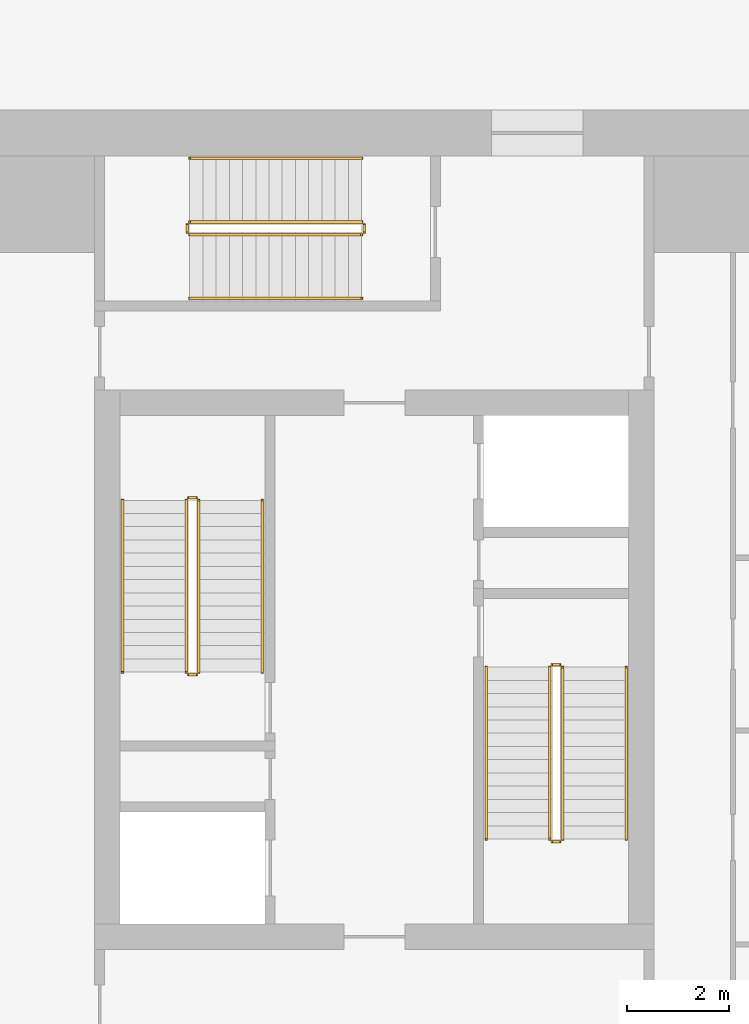
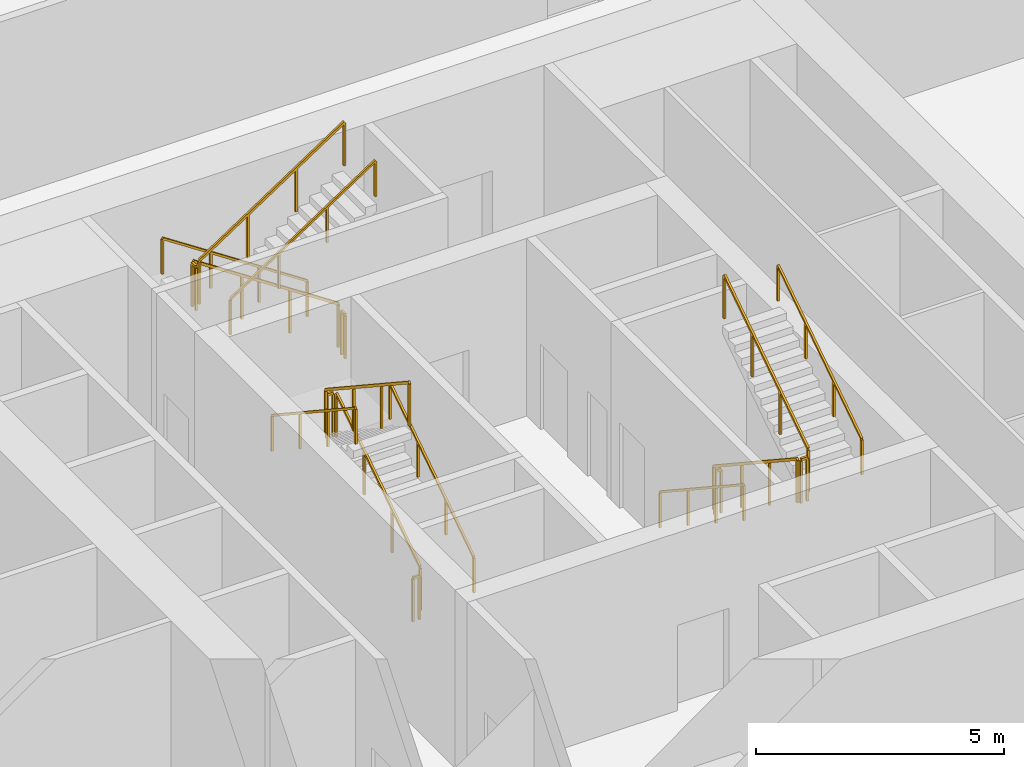
# One storey, part 48 of 53: 18 railings.
"""IFC4 building model written with IfcOpenShell, lengths in metres."""

from ifc_helpers import new_model, si_unit, direction, frame, origin, origin_2d, place, context, subcontext, project, spatial, rectangle, extrude, material, type_object, element, save


model = new_model("IFC4")

# Units and contexts
model_context = context("Model", 3, precision=1e-05, world=origin(), true_north=direction((0.0, 1.0)))
body_context = subcontext(model_context, "Body", "Model", "MODEL_VIEW")
ifc_project = project(units=[si_unit("LENGTHUNIT", "METRE"), si_unit("AREAUNIT", "SQUARE_METRE"), si_unit("VOLUMEUNIT", "CUBIC_METRE"), si_unit("PLANEANGLEUNIT", "RADIAN"), si_unit("MASSUNIT", "GRAM", prefix="KILO")], contexts=[model_context])

# Site, building, storey
site_placement = place(None, origin())
site = spatial("IfcSite", under=ifc_project, at=site_placement, CompositionType="ELEMENT")
building_placement = place(site_placement, origin())
building = spatial("IfcBuilding", under=site, at=building_placement, Name="Khepri Terraces", CompositionType="ELEMENT")
storey_placement = place(building_placement, frame((0.0, 0.0, 7.199951171875)))
storey = spatial("IfcBuildingStorey", under=building, at=storey_placement, Name="L01", CompositionType="ELEMENT", Elevation=7.199951171875)

# Railings
ifc_material = material(Name="Stainless steel 316", Category="steel")
railing_type_1 = type_object("IfcRailingType", Name="RL-CORE-GUARD", PredefinedType="GUARDRAIL", material=ifc_material)
railing_1_placement = place(storey_placement, frame((-3.449951171875, -0.050048828125, 0.17138671875)))
element("IfcRailing", 1, at=railing_1_placement, inside=storey, type_object=railing_type_1, Name="L01 ST-1 stair guard 1", PredefinedType="GUARDRAIL", context=body_context, shape_type="SweptSolid", body=[
    extrude(rectangle(XDim=0.050048828125, YDim=0.06005859375, at=origin_2d()), frame((0.0, 0.0, 1.070068359375), z_axis=(0.0, 0.834850508896, 0.550476727751), x_axis=(-1.0, 0.0, 0.0)), (0.0, 0.0, 1.0), 4.048828125),
    extrude(rectangle(XDim=0.050048828125, YDim=0.050048828125, at=origin_2d()), origin(), (0.0, 0.0, 1.0), 1.0400390625),
    extrude(rectangle(XDim=0.050048828125, YDim=0.050048828125, at=origin_2d()), frame((0.0, 1.126708984375, 0.742919921875)), (0.0, 0.0, 1.0), 1.0400390625),
    extrude(rectangle(XDim=0.050048828125, YDim=0.050048828125, at=origin_2d()), frame((0.0, 2.25341796875, 1.48583984375)), (0.0, 0.0, 1.0), 1.0400390625),
    extrude(rectangle(XDim=0.050048828125, YDim=0.050048828125, at=origin_2d()), frame((0.0, 3.380126953125, 2.228759765625)), (0.0, 0.0, 1.0), 1.0400390625),
])
railing_2_placement = place(storey_placement, frame((-3.5, 3.3798828125, 2.400146484375)))
element("IfcRailing", 2, at=railing_2_placement, inside=storey, type_object=railing_type_1, Name="L01 ST-1 stair guard 2", PredefinedType="GUARDRAIL", context=body_context, shape_type="SweptSolid", body=[
    extrude(rectangle(XDim=0.050048828125, YDim=0.06005859375, at=origin_2d()), frame((0.0, 0.0, 1.070068359375), z_axis=(-1.0, 0.0, 0.0), x_axis=(0.0, -1.0, 0.0)), (0.0, 0.0, 1.0), 0.14990234375),
    extrude(rectangle(XDim=0.050048828125, YDim=0.050048828125, at=origin_2d()), origin(), (0.0, 0.0, 1.0), 1.0400390625),
    extrude(rectangle(XDim=0.050048828125, YDim=0.050048828125, at=origin_2d()), frame((-0.14990234375, 0.0, 0.0)), (0.0, 0.0, 1.0), 1.0400390625),
])
railing_3_placement = place(storey_placement, frame((-3.699951171875, 3.330078125, 2.571533203125)))
element("IfcRailing", 3, at=railing_3_placement, inside=storey, type_object=railing_type_1, Name="L01 ST-1 stair guard 3", PredefinedType="GUARDRAIL", context=body_context, shape_type="SweptSolid", body=[
    extrude(rectangle(XDim=0.050048828125, YDim=0.06005859375, at=origin_2d()), frame((0.0, 0.0, 1.070068359375), z_axis=(0.0, -0.834878220475, 0.550434698194), x_axis=(1.0, 0.0, 0.0)), (0.0, 0.0, 1.0), 4.048583984375),
    extrude(rectangle(XDim=0.050048828125, YDim=0.050048828125, at=origin_2d()), origin(), (0.0, 0.0, 1.0), 1.0400390625),
    extrude(rectangle(XDim=0.050048828125, YDim=0.050048828125, at=origin_2d()), frame((0.0, -1.126708984375, 0.742919921875)), (0.0, 0.0, 1.0), 1.0400390625),
    extrude(rectangle(XDim=0.050048828125, YDim=0.050048828125, at=origin_2d()), frame((0.0, -2.25341796875, 1.485595703125)), (0.0, 0.0, 1.0), 1.0400390625),
    extrude(rectangle(XDim=0.050048828125, YDim=0.050048828125, at=origin_2d()), frame((0.0, -3.380126953125, 2.228515625)), (0.0, 0.0, 1.0), 1.0400390625),
])
railing_4_placement = place(storey_placement, frame((-3.5, -0.10009765625, 0.0)))
element("IfcRailing", 4, at=railing_4_placement, inside=storey, type_object=railing_type_1, Name="L01 ST-1 stair guard 4", PredefinedType="GUARDRAIL", context=body_context, shape_type="SweptSolid", body=[
    extrude(rectangle(XDim=0.050048828125, YDim=0.06005859375, at=origin_2d()), frame((0.0, 0.0, 1.070068359375), z_axis=(-1.0, 0.0, 0.0), x_axis=(0.0, -1.0, 0.0)), (0.0, 0.0, 1.0), 0.14990234375),
    extrude(rectangle(XDim=0.050048828125, YDim=0.050048828125, at=origin_2d()), origin(), (0.0, 0.0, 1.0), 1.0400390625),
    extrude(rectangle(XDim=0.050048828125, YDim=0.050048828125, at=origin_2d()), frame((-0.14990234375, 0.0, 0.0)), (0.0, 0.0, 1.0), 1.0400390625),
])
railing_5_placement = place(storey_placement, frame((3.449951171875, 0.050048828125, 0.17138671875)))
element("IfcRailing", 5, at=railing_5_placement, inside=storey, type_object=railing_type_1, Name="L01 ST-2 stair guard 1", PredefinedType="GUARDRAIL", context=body_context, shape_type="SweptSolid", body=[
    extrude(rectangle(XDim=0.050048828125, YDim=0.06005859375, at=origin_2d()), frame((0.0, 0.0, 1.070068359375), z_axis=(0.0, -0.834850508896, 0.550476727751), x_axis=(1.0, 0.0, 0.0)), (0.0, 0.0, 1.0), 4.048828125),
    extrude(rectangle(XDim=0.050048828125, YDim=0.050048828125, at=origin_2d()), origin(), (0.0, 0.0, 1.0), 1.0400390625),
    extrude(rectangle(XDim=0.050048828125, YDim=0.050048828125, at=origin_2d()), frame((0.0, -1.126708984375, 0.742919921875)), (0.0, 0.0, 1.0), 1.0400390625),
    extrude(rectangle(XDim=0.050048828125, YDim=0.050048828125, at=origin_2d()), frame((0.0, -2.25341796875, 1.48583984375)), (0.0, 0.0, 1.0), 1.0400390625),
    extrude(rectangle(XDim=0.050048828125, YDim=0.050048828125, at=origin_2d()), frame((0.0, -3.380126953125, 2.228759765625)), (0.0, 0.0, 1.0), 1.0400390625),
])
railing_6_placement = place(storey_placement, frame((3.5, -3.3798828125, 2.400146484375)))
element("IfcRailing", 6, at=railing_6_placement, inside=storey, type_object=railing_type_1, Name="L01 ST-2 stair guard 2", PredefinedType="GUARDRAIL", context=body_context, shape_type="SweptSolid", body=[
    extrude(rectangle(XDim=0.050048828125, YDim=0.06005859375, at=origin_2d()), frame((0.0, 0.0, 1.070068359375), z_axis=(1.0, 0.0, 0.0), x_axis=(0.0, 1.0, 0.0)), (0.0, 0.0, 1.0), 0.14990234375),
    extrude(rectangle(XDim=0.050048828125, YDim=0.050048828125, at=origin_2d()), origin(), (0.0, 0.0, 1.0), 1.0400390625),
    extrude(rectangle(XDim=0.050048828125, YDim=0.050048828125, at=origin_2d()), frame((0.14990234375, 0.0, 0.0)), (0.0, 0.0, 1.0), 1.0400390625),
])
railing_7_placement = place(storey_placement, frame((3.699951171875, -3.330078125, 2.571533203125)))
element("IfcRailing", 7, at=railing_7_placement, inside=storey, type_object=railing_type_1, Name="L01 ST-2 stair guard 3", PredefinedType="GUARDRAIL", context=body_context, shape_type="SweptSolid", body=[
    extrude(rectangle(XDim=0.050048828125, YDim=0.06005859375, at=origin_2d()), frame((0.0, 0.0, 1.070068359375), z_axis=(0.0, 0.834878220475, 0.550434698194), x_axis=(-1.0, 0.0, 0.0)), (0.0, 0.0, 1.0), 4.048583984375),
    extrude(rectangle(XDim=0.050048828125, YDim=0.050048828125, at=origin_2d()), origin(), (0.0, 0.0, 1.0), 1.0400390625),
    extrude(rectangle(XDim=0.050048828125, YDim=0.050048828125, at=origin_2d()), frame((0.0, 1.126708984375, 0.742919921875)), (0.0, 0.0, 1.0), 1.0400390625),
    extrude(rectangle(XDim=0.050048828125, YDim=0.050048828125, at=origin_2d()), frame((0.0, 2.25341796875, 1.485595703125)), (0.0, 0.0, 1.0), 1.0400390625),
    extrude(rectangle(XDim=0.050048828125, YDim=0.050048828125, at=origin_2d()), frame((0.0, 3.380126953125, 2.228515625)), (0.0, 0.0, 1.0), 1.0400390625),
])
railing_8_placement = place(storey_placement, frame((3.5, 0.10009765625, 0.0)))
element("IfcRailing", 8, at=railing_8_placement, inside=storey, type_object=railing_type_1, Name="L01 ST-2 stair guard 4", PredefinedType="GUARDRAIL", context=body_context, shape_type="SweptSolid", body=[
    extrude(rectangle(XDim=0.050048828125, YDim=0.06005859375, at=origin_2d()), frame((0.0, 0.0, 1.070068359375), z_axis=(1.0, 0.0, 0.0), x_axis=(0.0, 1.0, 0.0)), (0.0, 0.0, 1.0), 0.14990234375),
    extrude(rectangle(XDim=0.050048828125, YDim=0.050048828125, at=origin_2d()), origin(), (0.0, 0.0, 1.0), 1.0400390625),
    extrude(rectangle(XDim=0.050048828125, YDim=0.050048828125, at=origin_2d()), frame((0.14990234375, 0.0, 0.0)), (0.0, 0.0, 1.0), 1.0400390625),
])
railing_9_placement = place(storey_placement, frame((-0.25, 8.800048828125, 0.17138671875)))
element("IfcRailing", 9, at=railing_9_placement, inside=storey, type_object=railing_type_1, Name="L01 ST-3 stair guard 1", PredefinedType="GUARDRAIL", context=body_context, shape_type="SweptSolid", body=[
    extrude(rectangle(XDim=0.050048828125, YDim=0.06005859375, at=origin_2d()), frame((0.0, 0.0, 1.070068359375), z_axis=(-0.834832235197, 0.0, 0.55050444056), x_axis=(0.0, -1.0, 0.0)), (0.0, 0.0, 1.0), 4.048583984375),
    extrude(rectangle(XDim=0.050048828125, YDim=0.050048828125, at=origin_2d()), origin(), (0.0, 0.0, 1.0), 1.0400390625),
    extrude(rectangle(XDim=0.050048828125, YDim=0.050048828125, at=origin_2d()), frame((-1.126708984375, 0.0, 0.742919921875)), (0.0, 0.0, 1.0), 1.0400390625),
    extrude(rectangle(XDim=0.050048828125, YDim=0.050048828125, at=origin_2d()), frame((-2.253173828125, 0.0, 1.48583984375)), (0.0, 0.0, 1.0), 1.0400390625),
    extrude(rectangle(XDim=0.050048828125, YDim=0.050048828125, at=origin_2d()), frame((-3.3798828125, 0.0, 2.228759765625)), (0.0, 0.0, 1.0), 1.0400390625),
])
railing_10_placement = place(storey_placement, frame((-3.679931640625, 8.75, 2.400146484375)))
element("IfcRailing", 10, at=railing_10_placement, inside=storey, type_object=railing_type_1, Name="L01 ST-3 stair guard 2", PredefinedType="GUARDRAIL", context=body_context, shape_type="SweptSolid", body=[
    extrude(rectangle(XDim=0.050048828125, YDim=0.06005859375, at=origin_2d()), frame((0.0, 0.0, 1.070068359375), z_axis=(0.0, -1.0, 0.0), x_axis=(1.0, 0.0, 0.0)), (0.0, 0.0, 1.0), 0.14990234375),
    extrude(rectangle(XDim=0.050048828125, YDim=0.050048828125, at=origin_2d()), origin(), (0.0, 0.0, 1.0), 1.0400390625),
    extrude(rectangle(XDim=0.050048828125, YDim=0.050048828125, at=origin_2d()), frame((0.0, -0.14990234375, 0.0)), (0.0, 0.0, 1.0), 1.0400390625),
])
railing_11_placement = place(storey_placement, frame((-3.6298828125, 8.550048828125, 2.571533203125)))
element("IfcRailing", 11, at=railing_11_placement, inside=storey, type_object=railing_type_1, Name="L01 ST-3 stair guard 3", PredefinedType="GUARDRAIL", context=body_context, shape_type="SweptSolid", body=[
    extrude(rectangle(XDim=0.050048828125, YDim=0.06005859375, at=origin_2d()), frame((0.0, 0.0, 1.070068359375), z_axis=(0.83485994896, 0.0, 0.550462410727), x_axis=(0.0, 1.0, 0.0)), (0.0, 0.0, 1.0), 4.04833984375),
    extrude(rectangle(XDim=0.050048828125, YDim=0.050048828125, at=origin_2d()), origin(), (0.0, 0.0, 1.0), 1.0400390625),
    extrude(rectangle(XDim=0.050048828125, YDim=0.050048828125, at=origin_2d()), frame((1.126708984375, 0.0, 0.742919921875)), (0.0, 0.0, 1.0), 1.0400390625),
    extrude(rectangle(XDim=0.050048828125, YDim=0.050048828125, at=origin_2d()), frame((2.253173828125, 0.0, 1.485595703125)), (0.0, 0.0, 1.0), 1.0400390625),
    extrude(rectangle(XDim=0.050048828125, YDim=0.050048828125, at=origin_2d()), frame((3.3798828125, 0.0, 2.228515625)), (0.0, 0.0, 1.0), 1.0400390625),
])
railing_12_placement = place(storey_placement, frame((-0.199951171875, 8.75, 0.0)))
element("IfcRailing", 12, at=railing_12_placement, inside=storey, type_object=railing_type_1, Name="L01 ST-3 stair guard 4", PredefinedType="GUARDRAIL", context=body_context, shape_type="SweptSolid", body=[
    extrude(rectangle(XDim=0.050048828125, YDim=0.06005859375, at=origin_2d()), frame((0.0, 0.0, 1.070068359375), z_axis=(0.0, -1.0, 0.0), x_axis=(1.0, 0.0, 0.0)), (0.0, 0.0, 1.0), 0.14990234375),
    extrude(rectangle(XDim=0.050048828125, YDim=0.050048828125, at=origin_2d()), origin(), (0.0, 0.0, 1.0), 1.0400390625),
    extrude(rectangle(XDim=0.050048828125, YDim=0.050048828125, at=origin_2d()), frame((0.0, -0.14990234375, 0.0)), (0.0, 0.0, 1.0), 1.0400390625),
])
railing_type_2 = type_object("IfcRailingType", Name="RL-CORE-HANDRAIL", PredefinedType="HANDRAIL", material=ifc_material)
railing_13_placement = place(storey_placement, frame((-2.199951171875, -0.050048828125, 0.17138671875)))
element("IfcRailing", 13, at=railing_13_placement, inside=storey, type_object=railing_type_2, Name="L01 ST-1 stair handrail 1", PredefinedType="HANDRAIL", context=body_context, shape_type="SweptSolid", body=[
    extrude(rectangle(XDim=0.050048828125, YDim=0.050048828125, at=origin_2d()), frame((0.0, 0.0, 0.875), z_axis=(0.0, 0.834850508896, 0.550476727751), x_axis=(-1.0, 0.0, 0.0)), (0.0, 0.0, 1.0), 4.048828125),
    extrude(rectangle(XDim=0.050048828125, YDim=0.050048828125, at=origin_2d()), origin(), (0.0, 0.0, 1.0), 0.849853515625),
    extrude(rectangle(XDim=0.050048828125, YDim=0.050048828125, at=origin_2d()), frame((0.0, 1.126708984375, 0.742919921875)), (0.0, 0.0, 1.0), 0.849853515625),
    extrude(rectangle(XDim=0.050048828125, YDim=0.050048828125, at=origin_2d()), frame((0.0, 2.25341796875, 1.48583984375)), (0.0, 0.0, 1.0), 0.849853515625),
    extrude(rectangle(XDim=0.050048828125, YDim=0.050048828125, at=origin_2d()), frame((0.0, 3.380126953125, 2.228759765625)), (0.0, 0.0, 1.0), 0.849853515625),
])
railing_14_placement = place(storey_placement, frame((-4.949951171875, 3.330078125, 2.571533203125)))
element("IfcRailing", 14, at=railing_14_placement, inside=storey, type_object=railing_type_2, Name="L01 ST-1 stair handrail 2", PredefinedType="HANDRAIL", context=body_context, shape_type="SweptSolid", body=[
    extrude(rectangle(XDim=0.050048828125, YDim=0.050048828125, at=origin_2d()), frame((0.0, 0.0, 0.875), z_axis=(0.0, -0.834878220475, 0.550434698194), x_axis=(1.0, 0.0, 0.0)), (0.0, 0.0, 1.0), 4.048583984375),
    extrude(rectangle(XDim=0.050048828125, YDim=0.050048828125, at=origin_2d()), origin(), (0.0, 0.0, 1.0), 0.849853515625),
    extrude(rectangle(XDim=0.050048828125, YDim=0.050048828125, at=origin_2d()), frame((0.0, -1.126708984375, 0.742919921875)), (0.0, 0.0, 1.0), 0.849853515625),
    extrude(rectangle(XDim=0.050048828125, YDim=0.050048828125, at=origin_2d()), frame((0.0, -2.25341796875, 1.485595703125)), (0.0, 0.0, 1.0), 0.849853515625),
    extrude(rectangle(XDim=0.050048828125, YDim=0.050048828125, at=origin_2d()), frame((0.0, -3.380126953125, 2.228515625)), (0.0, 0.0, 1.0), 0.849853515625),
])
railing_15_placement = place(storey_placement, frame((2.199951171875, 0.050048828125, 0.17138671875)))
element("IfcRailing", 15, at=railing_15_placement, inside=storey, type_object=railing_type_2, Name="L01 ST-2 stair handrail 1", PredefinedType="HANDRAIL", context=body_context, shape_type="SweptSolid", body=[
    extrude(rectangle(XDim=0.050048828125, YDim=0.050048828125, at=origin_2d()), frame((0.0, 0.0, 0.875), z_axis=(0.0, -0.834850508896, 0.550476727751), x_axis=(1.0, 0.0, 0.0)), (0.0, 0.0, 1.0), 4.048828125),
    extrude(rectangle(XDim=0.050048828125, YDim=0.050048828125, at=origin_2d()), origin(), (0.0, 0.0, 1.0), 0.849853515625),
    extrude(rectangle(XDim=0.050048828125, YDim=0.050048828125, at=origin_2d()), frame((0.0, -1.126708984375, 0.742919921875)), (0.0, 0.0, 1.0), 0.849853515625),
    extrude(rectangle(XDim=0.050048828125, YDim=0.050048828125, at=origin_2d()), frame((0.0, -2.25341796875, 1.48583984375)), (0.0, 0.0, 1.0), 0.849853515625),
    extrude(rectangle(XDim=0.050048828125, YDim=0.050048828125, at=origin_2d()), frame((0.0, -3.380126953125, 2.228759765625)), (0.0, 0.0, 1.0), 0.849853515625),
])
railing_16_placement = place(storey_placement, frame((4.949951171875, -3.330078125, 2.571533203125)))
element("IfcRailing", 16, at=railing_16_placement, inside=storey, type_object=railing_type_2, Name="L01 ST-2 stair handrail 2", PredefinedType="HANDRAIL", context=body_context, shape_type="SweptSolid", body=[
    extrude(rectangle(XDim=0.050048828125, YDim=0.050048828125, at=origin_2d()), frame((0.0, 0.0, 0.875), z_axis=(0.0, 0.834878220475, 0.550434698194), x_axis=(-1.0, 0.0, 0.0)), (0.0, 0.0, 1.0), 4.048583984375),
    extrude(rectangle(XDim=0.050048828125, YDim=0.050048828125, at=origin_2d()), origin(), (0.0, 0.0, 1.0), 0.849853515625),
    extrude(rectangle(XDim=0.050048828125, YDim=0.050048828125, at=origin_2d()), frame((0.0, 1.126708984375, 0.742919921875)), (0.0, 0.0, 1.0), 0.849853515625),
    extrude(rectangle(XDim=0.050048828125, YDim=0.050048828125, at=origin_2d()), frame((0.0, 2.25341796875, 1.485595703125)), (0.0, 0.0, 1.0), 0.849853515625),
    extrude(rectangle(XDim=0.050048828125, YDim=0.050048828125, at=origin_2d()), frame((0.0, 3.380126953125, 2.228515625)), (0.0, 0.0, 1.0), 0.849853515625),
])
railing_17_placement = place(storey_placement, frame((-0.25, 10.050048828125, 0.17138671875)))
element("IfcRailing", 17, at=railing_17_placement, inside=storey, type_object=railing_type_2, Name="L01 ST-3 stair handrail 1", PredefinedType="HANDRAIL", context=body_context, shape_type="SweptSolid", body=[
    extrude(rectangle(XDim=0.050048828125, YDim=0.050048828125, at=origin_2d()), frame((0.0, 0.0, 0.875), z_axis=(-0.834832235197, 0.0, 0.55050444056), x_axis=(0.0, -1.0, 0.0)), (0.0, 0.0, 1.0), 4.048583984375),
    extrude(rectangle(XDim=0.050048828125, YDim=0.050048828125, at=origin_2d()), origin(), (0.0, 0.0, 1.0), 0.849853515625),
    extrude(rectangle(XDim=0.050048828125, YDim=0.050048828125, at=origin_2d()), frame((-1.126708984375, 0.0, 0.742919921875)), (0.0, 0.0, 1.0), 0.849853515625),
    extrude(rectangle(XDim=0.050048828125, YDim=0.050048828125, at=origin_2d()), frame((-2.253173828125, 0.0, 1.48583984375)), (0.0, 0.0, 1.0), 0.849853515625),
    extrude(rectangle(XDim=0.050048828125, YDim=0.050048828125, at=origin_2d()), frame((-3.3798828125, 0.0, 2.228759765625)), (0.0, 0.0, 1.0), 0.849853515625),
])
railing_18_placement = place(storey_placement, frame((-3.6298828125, 7.300048828125, 2.571533203125)))
element("IfcRailing", 18, at=railing_18_placement, inside=storey, type_object=railing_type_2, Name="L01 ST-3 stair handrail 2", PredefinedType="HANDRAIL", context=body_context, shape_type="SweptSolid", body=[
    extrude(rectangle(XDim=0.050048828125, YDim=0.050048828125, at=origin_2d()), frame((0.0, 0.0, 0.875), z_axis=(0.83485994896, 0.0, 0.550462410727), x_axis=(0.0, 1.0, 0.0)), (0.0, 0.0, 1.0), 4.04833984375),
    extrude(rectangle(XDim=0.050048828125, YDim=0.050048828125, at=origin_2d()), origin(), (0.0, 0.0, 1.0), 0.849853515625),
    extrude(rectangle(XDim=0.050048828125, YDim=0.050048828125, at=origin_2d()), frame((1.126708984375, 0.0, 0.742919921875)), (0.0, 0.0, 1.0), 0.849853515625),
    extrude(rectangle(XDim=0.050048828125, YDim=0.050048828125, at=origin_2d()), frame((2.253173828125, 0.0, 1.485595703125)), (0.0, 0.0, 1.0), 0.849853515625),
    extrude(rectangle(XDim=0.050048828125, YDim=0.050048828125, at=origin_2d()), frame((3.3798828125, 0.0, 2.228515625)), (0.0, 0.0, 1.0), 0.849853515625),
])

save(model, "model.ifc")
